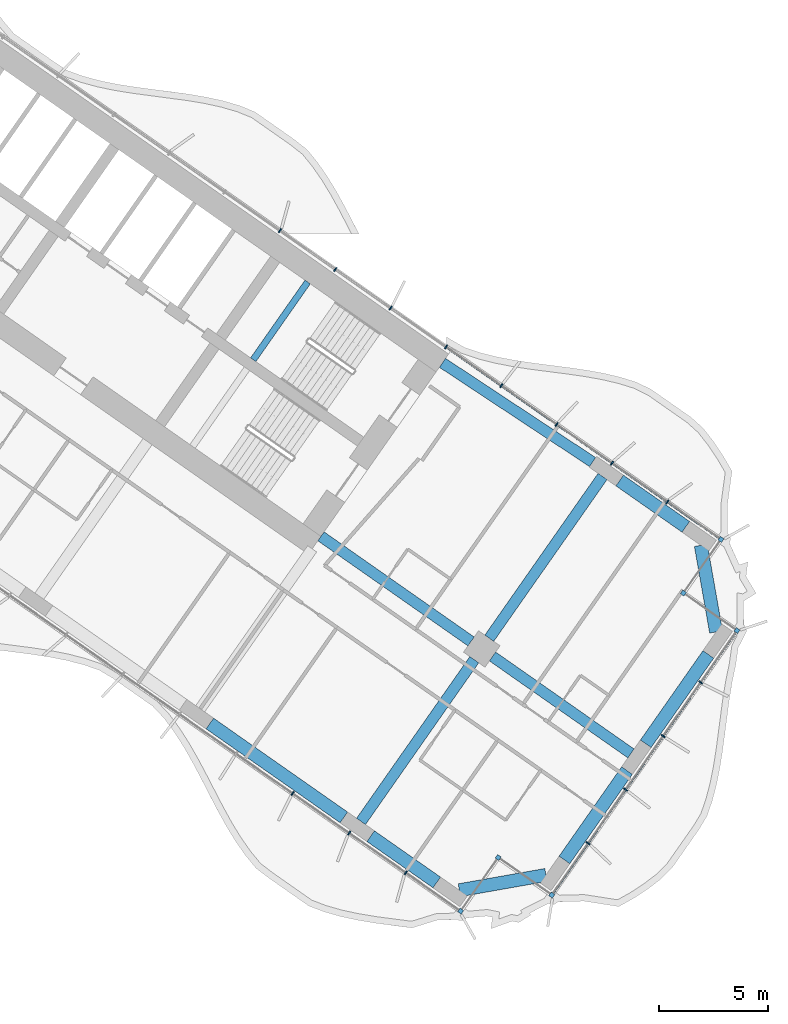
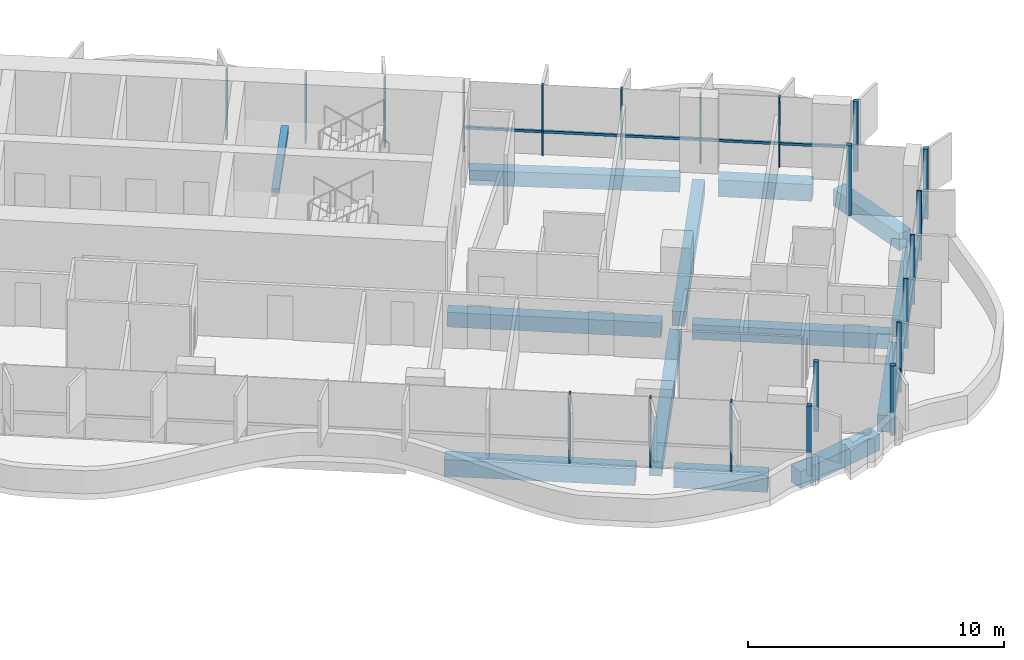
# One storey, part 9 of 23: 23 members, 13 beams, 2 elements without a shape of their own.
"""IFC4 building model written with IfcOpenShell, lengths in metres."""

from ifc_helpers import new_model, si_unit, direction, frame, origin, origin_2d, place, context, subcontext, project, spatial, rectangle, extrude, material, material_profile, profile_set, type_object, element, aggregate, save


model = new_model("IFC4")

# Units and contexts
model_context = context("Model", 3, precision=1e-05, world=origin(), true_north=direction((0.0, 1.0)))
body_context = subcontext(model_context, "Body", "Model", "MODEL_VIEW")
ifc_project = project(units=[si_unit("LENGTHUNIT", "METRE"), si_unit("AREAUNIT", "SQUARE_METRE"), si_unit("VOLUMEUNIT", "CUBIC_METRE"), si_unit("PLANEANGLEUNIT", "RADIAN"), si_unit("MASSUNIT", "GRAM", prefix="KILO")], contexts=[model_context])

# Site, building, storey
site_placement = place(None, origin())
site = spatial("IfcSite", under=ifc_project, at=site_placement, CompositionType="ELEMENT")
building_placement = place(site_placement, origin())
building = spatial("IfcBuilding", under=site, at=building_placement, Name="Tel Ilan Convention Tower", CompositionType="ELEMENT")
storey_placement = place(building_placement, frame((0.0, 0.0, 79.699951171875)))
storey = spatial("IfcBuildingStorey", under=building, at=storey_placement, Name="L15", CompositionType="ELEMENT", Elevation=79.699951171875)

# Beams
ifc_material_1 = material(Name="Concrete C40/50", Category="concrete")
ifc_material_profile_1 = material_profile(ifc_material_1, rectangle(XDim=0.5, YDim=0.699951171875, at=origin_2d()), Name="RC 500x700")
ifc_profile_set_1 = profile_set([ifc_material_profile_1], Name="Concrete C40/50")
beam_type_1 = type_object("IfcBeamType", Name="Beam RC 500x700 Concrete C40/50", PredefinedType="BEAM", material=ifc_profile_set_1)
beam_1_placement = place(storey_placement, frame((34.570556640625, -12.08447265625, -0.6298828125), z_axis=(-0.834273603487, 0.551350663847, 0.0), x_axis=(-0.551350663847, -0.834273603487, 0.0)))
element("IfcBeam", 1, at=beam_1_placement, inside=storey, type_object=beam_type_1, Name="L15 beam E-E-B4-core", PredefinedType="BEAM", context=body_context, shape_type="SweptSolid", body=[
    extrude(rectangle(XDim=0.5, YDim=0.699951171875, at=origin_2d()), origin(), (0.0, 0.0, 1.0), 8.2529296875),
])
beam_2_placement = place(storey_placement, frame((22.1171875, -15.486572265625, -0.6298828125), z_axis=(0.819147254605, -0.573583276668, 0.0), x_axis=(0.573583276668, 0.819147254605, 0.0)))
element("IfcBeam", 2, at=beam_2_placement, inside=storey, type_object=beam_type_1, Name="L15 beam E-core-E-M4", PredefinedType="BEAM", context=body_context, shape_type="SweptSolid", body=[
    extrude(rectangle(XDim=0.5, YDim=0.699951171875, at=origin_2d()), origin(), (0.0, 0.0, 1.0), 8.400146484375),
])
beam_3_placement = place(storey_placement, frame((29.98095703125, -20.992919921875, -0.6298828125), z_axis=(0.819159394801, -0.573565938589, 0.0), x_axis=(0.573565938589, 0.819159394801, 0.0)))
element("IfcBeam", 3, at=beam_3_placement, inside=storey, type_object=beam_type_1, Name="L15 beam E-E-M4-end", PredefinedType="BEAM", context=body_context, shape_type="SweptSolid", body=[
    extrude(rectangle(XDim=0.5, YDim=0.699951171875, at=origin_2d()), origin(), (0.0, 0.0, 1.0), 7.75),
])
for number, where, z_axis, x_axis, name in (
    (4, (29.145263671875, -21.14013671875, -0.6298828125), (-0.573549245583, -0.819171082798, 0.0), (0.819171082798, -0.573549245583, 0.0), "L15 beam E-E-M4-E-F4"),
    (5, (29.83349609375, -20.1572265625, -0.6298828125), (0.57358002233, 0.819149533348, 0.0), (-0.819149533348, 0.57358002233, 0.0), "L15 beam E-E-M4-E-B4"),
):
    element("IfcBeam", number, at=place(storey_placement, frame(where, z_axis=z_axis, x_axis=x_axis)), inside=storey, type_object=beam_type_1, Name=name, PredefinedType="BEAM", context=body_context, shape_type="SweptSolid", body=[
        extrude(rectangle(XDim=0.5, YDim=0.699951171875, at=origin_2d()), origin(), (0.0, 0.0, 1.0), 9.050048828125),
    ])
ifc_material_2 = material(Name="Concrete C40/50", Category="concrete")
ifc_material_profile_2 = material_profile(ifc_material_2, rectangle(XDim=0.60009765625, YDim=0.800048828125, at=origin_2d()), Name="RC 600x800")
ifc_profile_set_2 = profile_set([ifc_material_profile_2], Name="Concrete C40/50")
beam_type_2 = type_object("IfcBeamType", Name="Beam RC 600x800 Concrete C40/50", PredefinedType="BEAM", material=ifc_profile_set_2)
beam_4_placement = place(storey_placement, frame((17.0244140625, -24.0673828125, -0.679931640625), z_axis=(0.81915238829, -0.573575945067, 0.0), x_axis=(0.573575945067, 0.81915238829, 0.0)))
element("IfcBeam", 6, at=beam_4_placement, inside=storey, type_object=beam_type_2, Name="L15 beam E-E-F3-E-F4", PredefinedType="BEAM", context=body_context, shape_type="SweptSolid", body=[
    extrude(rectangle(XDim=0.60009765625, YDim=0.800048828125, at=origin_2d()), origin(), (0.0, 0.0, 1.0), 7.5),
])
beam_5_placement = place(storey_placement, frame((24.396728515625, -29.2294921875, -0.679931640625), z_axis=(0.819132709951, -0.573604047656, 0.0), x_axis=(0.573604047656, 0.819132709951, 0.0)))
element("IfcBeam", 7, at=beam_5_placement, inside=storey, type_object=beam_type_2, Name="L15 beam E-E-F4-E-FC", PredefinedType="BEAM", context=body_context, shape_type="SweptSolid", body=[
    extrude(rectangle(XDim=0.60009765625, YDim=0.800048828125, at=origin_2d()), origin(), (0.0, 0.0, 1.0), 3.699951171875),
])
beam_6_placement = place(storey_placement, frame((28.459716796875, -31.708251953125, -0.679931640625), z_axis=(0.984806721117, 0.173654029734, 0.0), x_axis=(-0.173654029734, 0.984806721117, 0.0)))
element("IfcBeam", 8, at=beam_6_placement, inside=storey, type_object=beam_type_2, Name="L15 beam E-E-FC-E-E1", PredefinedType="BEAM", context=body_context, shape_type="SweptSolid", body=[
    extrude(rectangle(XDim=0.60009765625, YDim=0.800048828125, at=origin_2d()), origin(), (0.0, 0.0, 1.0), 4.03076171875),
])
for number, where, z_axis, x_axis, name in (
    (9, (33.277099609375, -30.3203125, -0.679931640625), (0.573586866468, 0.819144740944, 0.0), (-0.819144740944, 0.573586866468, 0.0), "L15 beam E-E-E1-E-E2"),
    (10, (37.00537109375, -24.995849609375, -0.679931640625), (0.573586866468, 0.819144740944, 0.0), (-0.819144740944, 0.573586866468, 0.0), "L15 beam E-E-E2-E-E3"),
):
    element("IfcBeam", number, at=place(storey_placement, frame(where, z_axis=z_axis, x_axis=x_axis)), inside=storey, type_object=beam_type_2, Name=name, PredefinedType="BEAM", context=body_context, shape_type="SweptSolid", body=[
        extrude(rectangle(XDim=0.60009765625, YDim=0.800048828125, at=origin_2d()), origin(), (0.0, 0.0, 1.0), 5.0),
    ])
beam_7_placement = place(storey_placement, frame((40.229736328125, -19.867919921875, -0.679931640625), z_axis=(-0.173664388751, 0.984804894423, 0.0), x_axis=(-0.984804894423, -0.173664388751, 0.0)))
element("IfcBeam", 11, at=beam_7_placement, inside=storey, type_object=beam_type_2, Name="L15 beam E-E-E3-E-BC", PredefinedType="BEAM", context=body_context, shape_type="SweptSolid", body=[
    extrude(rectangle(XDim=0.60009765625, YDim=0.800048828125, at=origin_2d()), origin(), (0.0, 0.0, 1.0), 4.030517578125),
])
beam_8_placement = place(storey_placement, frame((38.841796875, -15.050537109375, -0.679931640625), z_axis=(-0.819185419371, 0.573528768842, 0.0), x_axis=(-0.573528768842, -0.819185419371, 0.0)))
element("IfcBeam", 12, at=beam_8_placement, inside=storey, type_object=beam_type_2, Name="L15 beam E-E-BC-E-B4", PredefinedType="BEAM", context=body_context, shape_type="SweptSolid", body=[
    extrude(rectangle(XDim=0.60009765625, YDim=0.800048828125, at=origin_2d()), origin(), (0.0, 0.0, 1.0), 3.699951171875),
])

# Curtain wall, members
ifc_material_3 = material(Name="Aluminium, bronze anodised", Category="aluminium")
curtain_wall_type_1 = type_object("IfcCurtainWallType", Name="CW1 UNITISED CURTAIN WALL, HOTEL TINTED GLASS", PredefinedType="NOTDEFINED", material=ifc_material_3)
curtain_wall_1_placement = place(storey_placement, origin())
curtain_wall_1 = element("IfcCurtainWall", 13, at=curtain_wall_1_placement, inside=storey, type_object=curtain_wall_type_1, Name="Curtain wall CW1-15.02", PredefinedType="NOTDEFINED")
ifc_material_4 = material(Name="Aluminium, bronze anodised", Category="aluminium")
ifc_material_profile_3 = material_profile(ifc_material_4, rectangle(XDim=0.199951171875, YDim=0.199951171875, at=origin_2d()), Name="CW CORNER MULLION 200x200")
ifc_profile_set_3 = profile_set([ifc_material_profile_3], Name="Aluminium, bronze anodised")
member_type_1 = type_object("IfcMemberType", Name="CW CORNER MULLION 200x200", PredefinedType="MULLION", material=ifc_profile_set_3)
member_1_placement = place(storey_placement, frame((28.52099609375, -32.666748046875, 0.0), z_axis=(0.0, 0.0, 1.0), x_axis=(0.819152044289, -0.573576436351, 0.0)))
member_1 = element("IfcMember", 14, at=member_1_placement, type_object=member_type_1, Name="Corner mullion", PredefinedType="MULLION", context=body_context, shape_type="SweptSolid", body=[
    extrude(rectangle(XDim=0.199951171875, YDim=0.199951171875, at=origin_2d()), origin(), (0.0, 0.0, 1.0), 3.320068359375),
])
member_2_placement = place(storey_placement, frame((30.241943359375, -30.209228515625, 0.0), z_axis=(0.0, 0.0, 1.0), x_axis=(0.573576436351, 0.819152044289, 0.0)))
member_2 = element("IfcMember", 15, at=member_2_placement, type_object=member_type_1, Name="Corner mullion", PredefinedType="MULLION", context=body_context, shape_type="SweptSolid", body=[
    extrude(rectangle(XDim=0.199951171875, YDim=0.199951171875, at=origin_2d()), origin(), (0.0, 0.0, 1.0), 3.320068359375),
])
member_3_placement = place(storey_placement, frame((32.69921875, -31.929931640625, 0.0), z_axis=(0.0, 0.0, 1.0), x_axis=(0.819152044289, -0.573576436351, 0.0)))
member_3 = element("IfcMember", 16, at=member_3_placement, type_object=member_type_1, Name="Corner mullion", PredefinedType="MULLION", context=body_context, shape_type="SweptSolid", body=[
    extrude(rectangle(XDim=0.199951171875, YDim=0.199951171875, at=origin_2d()), origin(), (0.0, 0.0, 1.0), 3.320068359375),
])
member_4_placement = place(storey_placement, frame((41.188232421875, -19.806640625, 0.0), z_axis=(0.0, 0.0, 1.0), x_axis=(0.573576436351, 0.819152044289, 0.0)))
member_4 = element("IfcMember", 17, at=member_4_placement, type_object=member_type_1, Name="Corner mullion", PredefinedType="MULLION", context=body_context, shape_type="SweptSolid", body=[
    extrude(rectangle(XDim=0.199951171875, YDim=0.199951171875, at=origin_2d()), origin(), (0.0, 0.0, 1.0), 3.320068359375),
])
member_5_placement = place(storey_placement, frame((38.730712890625, -18.0859375, 0.0), z_axis=(0.0, 0.0, 1.0), x_axis=(-0.819152044289, 0.573576436351, 0.0)))
member_5 = element("IfcMember", 18, at=member_5_placement, type_object=member_type_1, Name="Corner mullion", PredefinedType="MULLION", context=body_context, shape_type="SweptSolid", body=[
    extrude(rectangle(XDim=0.199951171875, YDim=0.199951171875, at=origin_2d()), origin(), (0.0, 0.0, 1.0), 3.320068359375),
])
member_6_placement = place(storey_placement, frame((40.451416015625, -15.62841796875, 0.0), z_axis=(0.0, 0.0, 1.0), x_axis=(0.573576436351, 0.819152044289, 0.0)))
member_6 = element("IfcMember", 19, at=member_6_placement, type_object=member_type_1, Name="Corner mullion", PredefinedType="MULLION", context=body_context, shape_type="SweptSolid", body=[
    extrude(rectangle(XDim=0.199951171875, YDim=0.199951171875, at=origin_2d()), origin(), (0.0, 0.0, 1.0), 3.320068359375),
])

ifc_material_5 = material(Name="Aluminium, bronze anodised", Category="aluminium")
curtain_wall_type_2 = type_object("IfcCurtainWallType", Name="CW2 STICK CURTAIN WALL, SPANDREL PANELS", PredefinedType="NOTDEFINED", material=ifc_material_5)
curtain_wall_2_placement = place(storey_placement, origin())
curtain_wall_2 = element("IfcCurtainWall", 20, at=curtain_wall_2_placement, inside=storey, type_object=curtain_wall_type_2, Name="Curtain wall CW2-15.01", PredefinedType="NOTDEFINED")
ifc_material_6 = material(Name="Aluminium, bronze anodised", Category="aluminium")
ifc_material_profile_4 = material_profile(ifc_material_6, rectangle(XDim=0.06005859375, YDim=0.199951171875, at=origin_2d()), Name="CW MULLION 60x200")
ifc_profile_set_4 = profile_set([ifc_material_profile_4], Name="Aluminium, bronze anodised")
member_type_2 = type_object("IfcMemberType", Name="CW MULLION 60x200", PredefinedType="MULLION", material=ifc_profile_set_4)
member_7_placement = place(storey_placement, frame((27.848876953125, -6.803955078125, 0.0), z_axis=(0.0, 0.0, 1.0), x_axis=(-0.819152044289, 0.573576436351, 0.0)))
member_7 = element("IfcMember", 21, at=member_7_placement, type_object=member_type_2, Name="Mullion", PredefinedType="MULLION", context=body_context, shape_type="SweptSolid", body=[
    extrude(rectangle(XDim=0.06005859375, YDim=0.199951171875, at=origin_2d()), origin(), (0.0, 0.0, 1.0), 3.320068359375),
])
member_8_placement = place(storey_placement, frame((25.311767578125, -5.027587890625, 0.0), z_axis=(0.0, 0.0, 1.0), x_axis=(-0.819152044289, 0.573576436351, 0.0)))
member_8 = element("IfcMember", 22, at=member_8_placement, type_object=member_type_2, Name="Mullion", PredefinedType="MULLION", context=body_context, shape_type="SweptSolid", body=[
    extrude(rectangle(XDim=0.06005859375, YDim=0.199951171875, at=origin_2d()), origin(), (0.0, 0.0, 1.0), 3.320068359375),
])
member_9_placement = place(storey_placement, frame((22.77490234375, -3.251220703125, 0.0), z_axis=(0.0, 0.0, 1.0), x_axis=(-0.819152044289, 0.573576436351, 0.0)))
member_9 = element("IfcMember", 23, at=member_9_placement, type_object=member_type_2, Name="Mullion", PredefinedType="MULLION", context=body_context, shape_type="SweptSolid", body=[
    extrude(rectangle(XDim=0.06005859375, YDim=0.199951171875, at=origin_2d()), origin(), (0.0, 0.0, 1.0), 3.320068359375),
])
member_10_placement = place(storey_placement, frame((20.238037109375, -1.474853515625, 0.0), z_axis=(0.0, 0.0, 1.0), x_axis=(-0.819152044289, 0.573576436351, 0.0)))
member_10 = element("IfcMember", 24, at=member_10_placement, type_object=member_type_2, Name="Mullion", PredefinedType="MULLION", context=body_context, shape_type="SweptSolid", body=[
    extrude(rectangle(XDim=0.06005859375, YDim=0.199951171875, at=origin_2d()), origin(), (0.0, 0.0, 1.0), 3.320068359375),
])
aggregate(curtain_wall_2, [member_7, member_8, member_9, member_10])

# Member
member_11_placement = place(storey_placement, frame((20.81787109375, -27.27294921875, 0.0), z_axis=(0.0, 0.0, 1.0), x_axis=(0.819152044289, -0.573576436351, 0.0)))
member_11 = element("IfcMember", 25, at=member_11_placement, type_object=member_type_2, Name="Mullion", PredefinedType="MULLION", context=body_context, shape_type="SweptSolid", body=[
    extrude(rectangle(XDim=0.06005859375, YDim=0.199951171875, at=origin_2d()), origin(), (0.0, 0.0, 1.0), 3.320068359375),
])

member_12_placement = place(storey_placement, frame((23.412841796875, -29.08984375, 0.0), z_axis=(0.0, 0.0, 1.0), x_axis=(0.819152044289, -0.573576436351, 0.0)))
member_12 = element("IfcMember", 26, at=member_12_placement, type_object=member_type_2, Name="Mullion", PredefinedType="MULLION", context=body_context, shape_type="SweptSolid", body=[
    extrude(rectangle(XDim=0.06005859375, YDim=0.199951171875, at=origin_2d()), origin(), (0.0, 0.0, 1.0), 3.320068359375),
])

member_13_placement = place(storey_placement, frame((26.008056640625, -30.906982421875, 0.0), z_axis=(0.0, 0.0, 1.0), x_axis=(0.819152044289, -0.573576436351, 0.0)))
member_13 = element("IfcMember", 27, at=member_13_placement, type_object=member_type_2, Name="Mullion", PredefinedType="MULLION", context=body_context, shape_type="SweptSolid", body=[
    extrude(rectangle(XDim=0.06005859375, YDim=0.199951171875, at=origin_2d()), origin(), (0.0, 0.0, 1.0), 3.320068359375),
])

member_14_placement = place(storey_placement, frame((34.362548828125, -29.554443359375, 0.0), z_axis=(0.0, 0.0, 1.0), x_axis=(0.573576436351, 0.819152044289, 0.0)))
member_14 = element("IfcMember", 28, at=member_14_placement, type_object=member_type_2, Name="Mullion", PredefinedType="MULLION", context=body_context, shape_type="SweptSolid", body=[
    extrude(rectangle(XDim=0.06005859375, YDim=0.199951171875, at=origin_2d()), origin(), (0.0, 0.0, 1.0), 3.320068359375),
])

member_15_placement = place(storey_placement, frame((36.08349609375, -27.096923828125, 0.0), z_axis=(0.0, 0.0, 1.0), x_axis=(0.573576436351, 0.819152044289, 0.0)))
member_15 = element("IfcMember", 29, at=member_15_placement, type_object=member_type_2, Name="Mullion", PredefinedType="MULLION", context=body_context, shape_type="SweptSolid", body=[
    extrude(rectangle(XDim=0.06005859375, YDim=0.199951171875, at=origin_2d()), origin(), (0.0, 0.0, 1.0), 3.320068359375),
])

member_16_placement = place(storey_placement, frame((37.80419921875, -24.6396484375, 0.0), z_axis=(0.0, 0.0, 1.0), x_axis=(0.573576436351, 0.819152044289, 0.0)))
member_16 = element("IfcMember", 30, at=member_16_placement, type_object=member_type_2, Name="Mullion", PredefinedType="MULLION", context=body_context, shape_type="SweptSolid", body=[
    extrude(rectangle(XDim=0.06005859375, YDim=0.199951171875, at=origin_2d()), origin(), (0.0, 0.0, 1.0), 3.320068359375),
])

member_17_placement = place(storey_placement, frame((39.52490234375, -22.18212890625, 0.0), z_axis=(0.0, 0.0, 1.0), x_axis=(0.573576436351, 0.819152044289, 0.0)))
member_17 = element("IfcMember", 31, at=member_17_placement, type_object=member_type_2, Name="Mullion", PredefinedType="MULLION", context=body_context, shape_type="SweptSolid", body=[
    extrude(rectangle(XDim=0.06005859375, YDim=0.199951171875, at=origin_2d()), origin(), (0.0, 0.0, 1.0), 3.320068359375),
])

member_18_placement = place(storey_placement, frame((37.99658203125, -13.909423828125, 0.0), z_axis=(0.0, 0.0, 1.0), x_axis=(-0.819152044289, 0.573576436351, 0.0)))
member_18 = element("IfcMember", 32, at=member_18_placement, type_object=member_type_2, Name="Mullion", PredefinedType="MULLION", context=body_context, shape_type="SweptSolid", body=[
    extrude(rectangle(XDim=0.06005859375, YDim=0.199951171875, at=origin_2d()), origin(), (0.0, 0.0, 1.0), 3.320068359375),
])

member_19_placement = place(storey_placement, frame((35.45947265625, -12.133056640625, 0.0), z_axis=(0.0, 0.0, 1.0), x_axis=(-0.819152044289, 0.573576436351, 0.0)))
member_19 = element("IfcMember", 33, at=member_19_placement, type_object=member_type_2, Name="Mullion", PredefinedType="MULLION", context=body_context, shape_type="SweptSolid", body=[
    extrude(rectangle(XDim=0.06005859375, YDim=0.199951171875, at=origin_2d()), origin(), (0.0, 0.0, 1.0), 3.320068359375),
])

member_20_placement = place(storey_placement, frame((32.922607421875, -10.356689453125, 0.0), z_axis=(0.0, 0.0, 1.0), x_axis=(-0.819152044289, 0.573576436351, 0.0)))
member_20 = element("IfcMember", 34, at=member_20_placement, type_object=member_type_2, Name="Mullion", PredefinedType="MULLION", context=body_context, shape_type="SweptSolid", body=[
    extrude(rectangle(XDim=0.06005859375, YDim=0.199951171875, at=origin_2d()), origin(), (0.0, 0.0, 1.0), 3.320068359375),
])

member_21_placement = place(storey_placement, frame((30.3857421875, -8.580322265625, 0.0), z_axis=(0.0, 0.0, 1.0), x_axis=(-0.819152044289, 0.573576436351, 0.0)))
member_21 = element("IfcMember", 35, at=member_21_placement, type_object=member_type_2, Name="Mullion", PredefinedType="MULLION", context=body_context, shape_type="SweptSolid", body=[
    extrude(rectangle(XDim=0.06005859375, YDim=0.199951171875, at=origin_2d()), origin(), (0.0, 0.0, 1.0), 3.320068359375),
])

ifc_material_7 = material(Name="Aluminium, bronze anodised", Category="aluminium")
ifc_material_profile_5 = material_profile(ifc_material_7, rectangle(XDim=0.10009765625, YDim=0.1201171875, at=origin_2d()), Name="CW TRANSOM 100x120")
ifc_profile_set_5 = profile_set([ifc_material_profile_5], Name="Aluminium, bronze anodised")
member_type_3 = type_object("IfcMemberType", Name="CW TRANSOM 100x120", PredefinedType="USERDEFINED", material=ifc_profile_set_5)
member_22_placement = place(storey_placement, frame((32.756591796875, -31.84814453125, 1.10009765625), z_axis=(0.573575688231, 0.819152568128, 0.0), x_axis=(-0.819152568128, 0.573575688231, 0.0)))
member_22 = element("IfcMember", 36, at=member_22_placement, type_object=member_type_3, Name="Transom", ObjectType="TRANSOM", PredefinedType="USERDEFINED", context=body_context, shape_type="SweptSolid", body=[
    extrude(rectangle(XDim=0.10009765625, YDim=0.1201171875, at=origin_2d()), origin(), (0.0, 0.0, 1.0), 14.60009765625),
])

member_23_placement = place(storey_placement, frame((40.36962890625, -15.571044921875, 1.10009765625), z_axis=(-0.819152967985, 0.573575117174, 0.0), x_axis=(-0.573575117174, -0.819152967985, 0.0)))
member_23 = element("IfcMember", 37, at=member_23_placement, type_object=member_type_3, Name="Transom", ObjectType="TRANSOM", PredefinedType="USERDEFINED", context=body_context, shape_type="SweptSolid", body=[
    extrude(rectangle(XDim=0.10009765625, YDim=0.1201171875, at=origin_2d()), origin(), (0.0, 0.0, 1.0), 15.255126953125),
])

aggregate(curtain_wall_1, [member_11, member_12, member_13, member_1, member_2, member_3, member_14, member_15, member_16, member_17, member_4, member_22, member_5, member_6, member_18, member_19, member_20, member_21, member_23])

# Beam
ifc_material_8 = material(Name="Concrete C40/50", Category="concrete")
ifc_material_profile_6 = material_profile(ifc_material_8, rectangle(XDim=0.300048828125, YDim=0.300048828125, at=origin_2d()), Name="RC 300x300")
ifc_profile_set_6 = profile_set([ifc_material_profile_6], Name="Concrete C40/50")
beam_type_3 = type_object("IfcBeamType", Name="Landing Beam RC 300x300 Concrete C40/50", PredefinedType="BEAM", material=ifc_profile_set_6)
beam_9_placement = place(storey_placement, frame((21.5087890625, -3.829345703125, 1.449951171875), z_axis=(-0.57356780395, -0.819158088694, 0.0), x_axis=(0.819158088694, -0.57356780395, 0.0)))
element("IfcBeam", 38, at=beam_9_placement, inside=storey, type_object=beam_type_3, Name="S3 landing beam L15.1", PredefinedType="BEAM", context=body_context, shape_type="SweptSolid", body=[
    extrude(rectangle(XDim=0.300048828125, YDim=0.300048828125, at=origin_2d()), origin(), (0.0, 0.0, 1.0), 4.35009765625),
])

save(model, "model.ifc")
